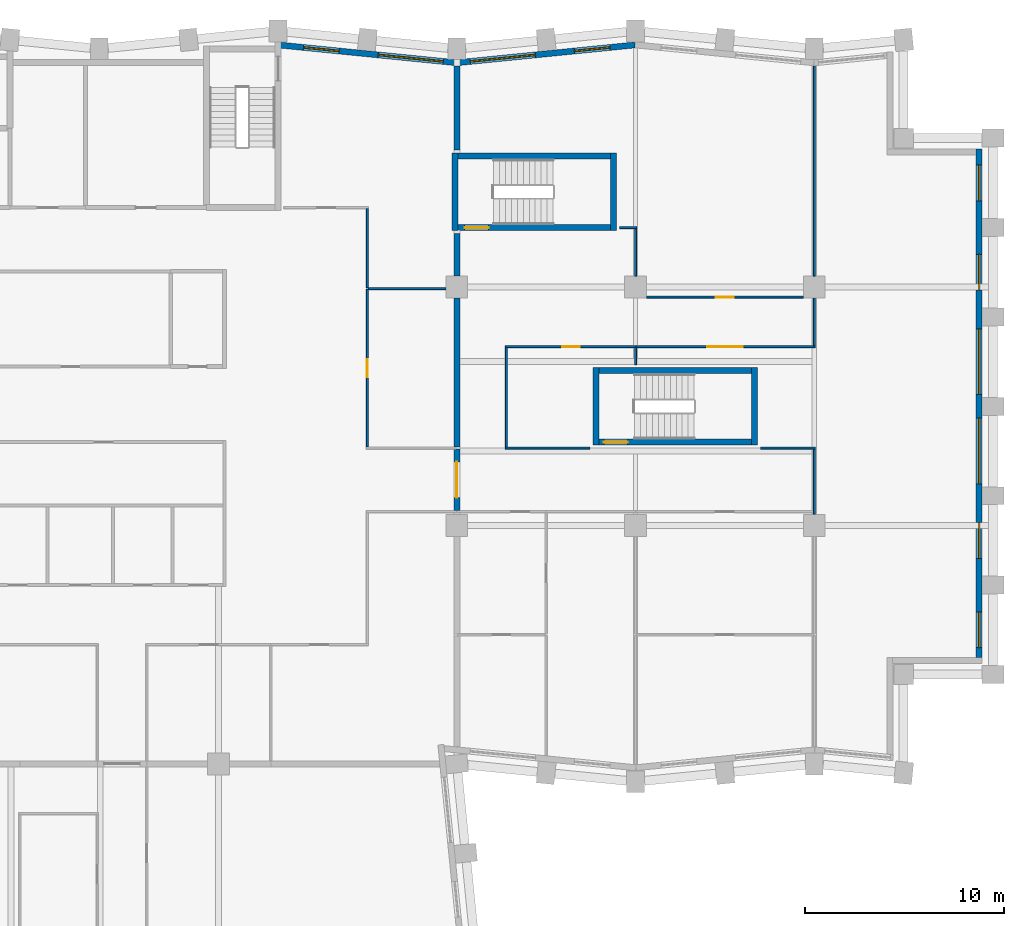
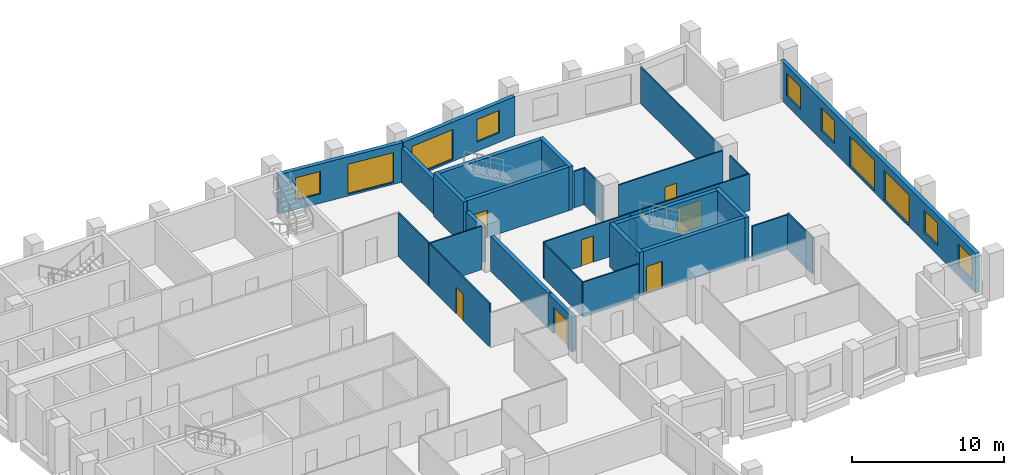
# One storey, part 7 of 10: 30 walls, 10 windows, 7 doors, 17 openings.
"""IFC4 building model written with IfcOpenShell, lengths in metres."""

from ifc_helpers import new_model, si_unit, direction, frame, frame_2d, origin, place, context, subcontext, project, spatial, rectangle, extrude, material, layer, layer_set, type_object, element, fill, save


model = new_model("IFC4")

# Units and contexts
model_context = context("Model", 3, precision=1e-05, world=origin(), true_north=direction((0.0, 1.0)))
body_context = subcontext(model_context, "Body", "Model", "MODEL_VIEW")
ifc_project = project(units=[si_unit("LENGTHUNIT", "METRE"), si_unit("AREAUNIT", "SQUARE_METRE"), si_unit("VOLUMEUNIT", "CUBIC_METRE"), si_unit("PLANEANGLEUNIT", "RADIAN"), si_unit("MASSUNIT", "GRAM", prefix="KILO")], contexts=[model_context])

# Site, building, storey
site_placement = place(None, origin())
site = spatial("IfcSite", under=ifc_project, at=site_placement, CompositionType="ELEMENT")
building_placement = place(site_placement, origin())
building = spatial("IfcBuilding", under=site, at=building_placement, Name="Brondeck Convention Tower", CompositionType="ELEMENT")
storey_placement = place(building_placement, frame((0.0, 0.0, 170.0)))
storey = spatial("IfcBuildingStorey", under=building, at=storey_placement, Name="L41", CompositionType="ELEMENT", Elevation=170.0)

# Wall, opening, door
ifc_material_1 = material(Name="Concrete compartment wall C30/37", Category="concrete")
ifc_layer_1 = layer(ifc_material_1, 0.300048828125)
ifc_layer_set_1 = layer_set([ifc_layer_1], Name="Compartment wall 300")
wall_type_1 = type_object("IfcWallType", Name="Compartment wall 300", PredefinedType="PARTITIONING", material=ifc_layer_set_1)
wall_1_placement = place(storey_placement, frame((36.0, 42.85009765625, 0.0), z_axis=(0.0, 0.0, 1.0), x_axis=(0.0, -1.0, 0.0)))
wall_1 = element("IfcWall", 1, at=wall_1_placement, inside=storey, type_object=wall_type_1, Name="FLR-L41-W052", PredefinedType="PARTITIONING", context=body_context, shape_type="SweptSolid", body=[
    extrude(rectangle(XDim=3.10009765625, YDim=0.300048828125, at=frame_2d((1.550048828125, 0.0))), origin(), (0.0, 0.0, 1.0), 2.780029296875),
])
opening_1_placement = place(wall_1_placement, frame((0.64990234375, 0.0, 0.0)))
opening_1 = element("IfcOpeningElement", 2, at=opening_1_placement, cuts=wall_1, Name="Opening OF-H-021", PredefinedType="OPENING", context=body_context, shape_type="SweptSolid", body=[
    extrude(rectangle(XDim=1.800048828125, YDim=2.10009765625, at=frame_2d((0.89990234375, 1.050048828125))), frame((0.0, 0.159912109375, 0.0), z_axis=(0.0, -1.0, 0.0), x_axis=(1.0, 0.0, 0.0)), (0.0, 0.0, 1.0), 0.320068359375),
])
ifc_material_2 = material(Name="Steel fire door pair", Category="steel")
door_type_1 = type_object("IfcDoorType", Name="Fire door pair 1800", OperationType="DOUBLE_DOOR_SINGLE_SWING", PredefinedType="DOOR", material=ifc_material_2)
door_1_placement = place(opening_1_placement, origin())
door_1 = element("IfcDoor", 3, at=door_1_placement, inside=storey, type_object=door_type_1, Name="Door OF-H-021", OperationType="DOUBLE_DOOR_SINGLE_SWING", OverallHeight=2.10009765625, OverallWidth=1.800048828125, PredefinedType="DOOR", context=body_context, shape_type="SweptSolid", body=[
    extrude(rectangle(XDim=1.800048828125, YDim=2.10009765625, at=frame_2d((0.89990234375, 1.050048828125))), frame((0.0, 0.02490234375, 0.0), z_axis=(0.0, -1.0, 0.0), x_axis=(1.0, 0.0, 0.0)), (0.0, 0.0, 1.0), 0.050048828125),
])
fill(opening_1, door_1)

# Walls
wall_2_placement = place(storey_placement, frame((36.0, 42.949951171875, 0.0), z_axis=(0.0, 0.0, 1.0), x_axis=(0.0, 1.0, 0.0)))
element("IfcWall", 4, at=wall_2_placement, inside=storey, type_object=wall_type_1, Name="FLR-L41-W057", PredefinedType="PARTITIONING", context=body_context, shape_type="SweptSolid", body=[
    extrude(rectangle(XDim=7.4951171875, YDim=0.300048828125, at=frame_2d((3.74755859375, 0.0))), origin(), (0.0, 0.0, 1.0), 2.780029296875),
])
wall_3_placement = place(storey_placement, frame((36.0, 51.554931640625, 0.0), z_axis=(0.0, 0.0, 1.0), x_axis=(0.0, 1.0, 0.0)))
element("IfcWall", 5, at=wall_3_placement, inside=storey, type_object=wall_type_1, Name="FLR-L41-W066", PredefinedType="PARTITIONING", context=body_context, shape_type="SweptSolid", body=[
    extrude(rectangle(XDim=2.14501953125, YDim=0.300048828125, at=frame_2d((1.072509765625, 0.0))), origin(), (0.0, 0.0, 1.0), 2.780029296875),
])
wall_4_placement = place(storey_placement, frame((36.0, 57.89990234375, 0.0), z_axis=(0.0, 0.0, 1.0), x_axis=(0.0, 1.0, 0.0)))
element("IfcWall", 6, at=wall_4_placement, inside=storey, type_object=wall_type_1, Name="FLR-L41-W072", PredefinedType="PARTITIONING", context=body_context, shape_type="SweptSolid", body=[
    extrude(rectangle(XDim=4.22607421875, YDim=0.300048828125, at=frame_2d((2.113037109375, 0.0))), origin(), (0.0, 0.0, 1.0), 2.780029296875),
])

# Wall, openings, windows
ifc_material_3 = material(Name="Precast concrete C50/60 bronze finish", Category="concrete")
ifc_layer_2 = layer(ifc_material_3, 0.070068359375, Name="Bronze precast facing")
ifc_material_4 = material(Name="Mineral wool")
ifc_layer_3 = layer(ifc_material_4, 0.159912109375, Name="Insulation")
ifc_material_5 = material(Name="Concrete C35/45", Category="concrete")
ifc_layer_4 = layer(ifc_material_5, 0.070068359375, Name="Backing")
ifc_layer_set_2 = layer_set([ifc_layer_2, ifc_layer_3, ifc_layer_4], Name="External infill wall, precast concrete C50/60 bronze facing")
wall_type_2 = type_object("IfcWallType", Name="External infill wall, precast concrete C50/60 bronze facing", PredefinedType="SOLIDWALL", material=ifc_layer_set_2)
wall_5_placement = place(storey_placement, frame((62.300048828125, 57.949951171875, 0.0), z_axis=(0.0, 0.0, 1.0), x_axis=(0.0, -1.0, 0.0)))
wall_5 = element("IfcWall", 7, at=wall_5_placement, inside=storey, type_object=wall_type_2, Name="ENV-EW-L41-P1-A-E63-01", PredefinedType="SOLIDWALL", context=body_context, shape_type="SweptSolid", body=[
    extrude(rectangle(XDim=25.60205078125, YDim=0.300048828125, at=frame_2d((12.801025390625, 0.0))), origin(), (0.0, 0.0, 1.0), 3.14990234375),
])
opening_2_placement = place(wall_5_placement, frame((0.800048828125, 0.0, 0.75)))
opening_2 = element("IfcOpeningElement", 8, at=opening_2_placement, cuts=wall_5, Name="Opening W10", PredefinedType="OPENING", context=body_context, shape_type="SweptSolid", body=[
    extrude(rectangle(XDim=1.800048828125, YDim=1.800048828125, at=frame_2d((0.89990234375, 0.89990234375))), frame((0.0, 0.159912109375, 0.0), z_axis=(0.0, -1.0, 0.0), x_axis=(1.0, 0.0, 0.0)), (0.0, 0.0, 1.0), 0.320068359375),
])
opening_3_placement = place(wall_5_placement, frame((5.300048828125, 0.0, 0.75)))
opening_3 = element("IfcOpeningElement", 9, at=opening_3_placement, cuts=wall_5, Name="Opening W10", PredefinedType="OPENING", context=body_context, shape_type="SweptSolid", body=[
    extrude(rectangle(XDim=1.800048828125, YDim=1.800048828125, at=frame_2d((0.89990234375, 0.89990234375))), frame((0.0, 0.159912109375, 0.0), z_axis=(0.0, -1.0, 0.0), x_axis=(1.0, 0.0, 0.0)), (0.0, 0.0, 1.0), 0.320068359375),
])
opening_4_placement = place(wall_5_placement, frame((9.050048828125, 0.0, 0.14990234375)))
opening_4 = element("IfcOpeningElement", 10, at=opening_4_placement, cuts=wall_5, Name="Opening W9", PredefinedType="OPENING", context=body_context, shape_type="SweptSolid", body=[
    extrude(rectangle(XDim=3.300048828125, YDim=2.39990234375, at=frame_2d((1.64990234375, 1.199951171875))), frame((0.0, 0.159912109375, 0.0), z_axis=(0.0, -1.0, 0.0), x_axis=(1.0, 0.0, 0.0)), (0.0, 0.0, 1.0), 0.320068359375),
])
opening_5_placement = place(wall_5_placement, frame((13.550048828125, 0.0, 0.14990234375)))
opening_5 = element("IfcOpeningElement", 11, at=opening_5_placement, cuts=wall_5, Name="Opening W9", PredefinedType="OPENING", context=body_context, shape_type="SweptSolid", body=[
    extrude(rectangle(XDim=3.300048828125, YDim=2.39990234375, at=frame_2d((1.64990234375, 1.199951171875))), frame((0.0, 0.159912109375, 0.0), z_axis=(0.0, -1.0, 0.0), x_axis=(1.0, 0.0, 0.0)), (0.0, 0.0, 1.0), 0.320068359375),
])
opening_6_placement = place(wall_5_placement, frame((18.800048828125, 0.0, 0.75)))
opening_6 = element("IfcOpeningElement", 12, at=opening_6_placement, cuts=wall_5, Name="Opening W10", PredefinedType="OPENING", context=body_context, shape_type="SweptSolid", body=[
    extrude(rectangle(XDim=1.800048828125, YDim=1.800048828125, at=frame_2d((0.89990234375, 0.89990234375))), frame((0.0, 0.159912109375, 0.0), z_axis=(0.0, -1.0, 0.0), x_axis=(1.0, 0.0, 0.0)), (0.0, 0.0, 1.0), 0.320068359375),
])
opening_7_placement = place(wall_5_placement, frame((23.300048828125, 0.0, 0.75)))
opening_7 = element("IfcOpeningElement", 13, at=opening_7_placement, cuts=wall_5, Name="Opening W10", PredefinedType="OPENING", context=body_context, shape_type="SweptSolid", body=[
    extrude(rectangle(XDim=1.800048828125, YDim=1.800048828125, at=frame_2d((0.89990234375, 0.89990234375))), frame((0.0, 0.159912109375, 0.0), z_axis=(0.0, -1.0, 0.0), x_axis=(1.0, 0.0, 0.0)), (0.0, 0.0, 1.0), 0.320068359375),
])
ifc_material_6 = material(Name="Bronze tinted double glazing", Category="glass")
window_type_1 = type_object("IfcWindowType", Name="Glazed flute window, bronze tinted", PartitioningType="SINGLE_PANEL", PredefinedType="WINDOW", material=ifc_material_6)
window_1_placement = place(opening_4_placement, origin())
window_1 = element("IfcWindow", 14, at=window_1_placement, inside=storey, type_object=window_type_1, Name="ENV-WN-L41-P1-A-E63-04", OverallHeight=2.39990234375, OverallWidth=3.300048828125, PartitioningType="SINGLE_PANEL", PredefinedType="WINDOW", context=body_context, shape_type="SweptSolid", body=[
    extrude(rectangle(XDim=3.300048828125, YDim=2.39990234375, at=frame_2d((1.64990234375, 1.199951171875))), frame((0.0, 0.030029296875, 0.0), z_axis=(0.0, -1.0, 0.0), x_axis=(1.0, 0.0, 0.0)), (0.0, 0.0, 1.0), 0.06005859375),
])
fill(opening_4, window_1)
window_2_placement = place(opening_5_placement, origin())
window_2 = element("IfcWindow", 15, at=window_2_placement, inside=storey, type_object=window_type_1, Name="ENV-WN-L41-P1-A-E63-03", OverallHeight=2.39990234375, OverallWidth=3.300048828125, PartitioningType="SINGLE_PANEL", PredefinedType="WINDOW", context=body_context, shape_type="SweptSolid", body=[
    extrude(rectangle(XDim=3.300048828125, YDim=2.39990234375, at=frame_2d((1.64990234375, 1.199951171875))), frame((0.0, 0.030029296875, 0.0), z_axis=(0.0, -1.0, 0.0), x_axis=(1.0, 0.0, 0.0)), (0.0, 0.0, 1.0), 0.06005859375),
])
fill(opening_5, window_2)
window_type_2 = type_object("IfcWindowType", Name="Punched window, bronze tinted", PartitioningType="SINGLE_PANEL", PredefinedType="WINDOW", material=ifc_material_6)
window_3_placement = place(opening_2_placement, origin())
window_3 = element("IfcWindow", 16, at=window_3_placement, inside=storey, type_object=window_type_2, Name="ENV-WN-L41-P1-A-E63-06", OverallHeight=1.800048828125, OverallWidth=1.800048828125, PartitioningType="SINGLE_PANEL", PredefinedType="WINDOW", context=body_context, shape_type="SweptSolid", body=[
    extrude(rectangle(XDim=1.800048828125, YDim=1.800048828125, at=frame_2d((0.89990234375, 0.89990234375))), frame((0.0, 0.030029296875, 0.0), z_axis=(0.0, -1.0, 0.0), x_axis=(1.0, 0.0, 0.0)), (0.0, 0.0, 1.0), 0.06005859375),
])
fill(opening_2, window_3)
window_4_placement = place(opening_3_placement, origin())
window_4 = element("IfcWindow", 17, at=window_4_placement, inside=storey, type_object=window_type_2, Name="ENV-WN-L41-P1-A-E63-05", OverallHeight=1.800048828125, OverallWidth=1.800048828125, PartitioningType="SINGLE_PANEL", PredefinedType="WINDOW", context=body_context, shape_type="SweptSolid", body=[
    extrude(rectangle(XDim=1.800048828125, YDim=1.800048828125, at=frame_2d((0.89990234375, 0.89990234375))), frame((0.0, 0.030029296875, 0.0), z_axis=(0.0, -1.0, 0.0), x_axis=(1.0, 0.0, 0.0)), (0.0, 0.0, 1.0), 0.06005859375),
])
fill(opening_3, window_4)
window_5_placement = place(opening_6_placement, origin())
window_5 = element("IfcWindow", 18, at=window_5_placement, inside=storey, type_object=window_type_2, Name="ENV-WN-L41-P1-A-E63-02", OverallHeight=1.800048828125, OverallWidth=1.800048828125, PartitioningType="SINGLE_PANEL", PredefinedType="WINDOW", context=body_context, shape_type="SweptSolid", body=[
    extrude(rectangle(XDim=1.800048828125, YDim=1.800048828125, at=frame_2d((0.89990234375, 0.89990234375))), frame((0.0, 0.030029296875, 0.0), z_axis=(0.0, -1.0, 0.0), x_axis=(1.0, 0.0, 0.0)), (0.0, 0.0, 1.0), 0.06005859375),
])
fill(opening_6, window_5)
window_6_placement = place(opening_7_placement, origin())
window_6 = element("IfcWindow", 19, at=window_6_placement, inside=storey, type_object=window_type_2, Name="ENV-WN-L41-P1-A-E63-01", OverallHeight=1.800048828125, OverallWidth=1.800048828125, PartitioningType="SINGLE_PANEL", PredefinedType="WINDOW", context=body_context, shape_type="SweptSolid", body=[
    extrude(rectangle(XDim=1.800048828125, YDim=1.800048828125, at=frame_2d((0.89990234375, 0.89990234375))), frame((0.0, 0.030029296875, 0.0), z_axis=(0.0, -1.0, 0.0), x_axis=(1.0, 0.0, 0.0)), (0.0, 0.0, 1.0), 0.06005859375),
])
fill(opening_7, window_6)

wall_6_placement = place(storey_placement, frame((35.985107421875, 62.294921875, 0.0), z_axis=(0.0, 0.0, 1.0), x_axis=(0.995035316196, 0.099522457379, 0.0)))
wall_6 = element("IfcWall", 20, at=wall_6_placement, inside=storey, type_object=wall_type_2, Name="ENV-EW-L41-P1-A-N-09", PredefinedType="SOLIDWALL", context=body_context, shape_type="SweptSolid", body=[
    extrude(rectangle(XDim=9.030029296875, YDim=0.300048828125, at=frame_2d((4.51513671875, 0.0))), origin(), (0.0, 0.0, 1.0), 3.14990234375),
])
opening_8_placement = place(wall_6_placement, frame((0.6962890625, 0.0, 0.14990234375)))
opening_8 = element("IfcOpeningElement", 21, at=opening_8_placement, cuts=wall_6, Name="Opening W9", PredefinedType="OPENING", context=body_context, shape_type="SweptSolid", body=[
    extrude(rectangle(XDim=3.300048828125, YDim=2.39990234375, at=frame_2d((1.64990234375, 1.199951171875))), frame((0.0, 0.159912109375, 0.0), z_axis=(0.0, -1.0, 0.0), x_axis=(1.0, 0.0, 0.0)), (0.0, 0.0, 1.0), 0.320068359375),
])
opening_9_placement = place(wall_6_placement, frame((5.968505859375, 0.0, 0.75)))
opening_9 = element("IfcOpeningElement", 22, at=opening_9_placement, cuts=wall_6, Name="Opening W10", PredefinedType="OPENING", context=body_context, shape_type="SweptSolid", body=[
    extrude(rectangle(XDim=1.800048828125, YDim=1.800048828125, at=frame_2d((0.89990234375, 0.89990234375))), frame((0.0, 0.159912109375, 0.0), z_axis=(0.0, -1.0, 0.0), x_axis=(1.0, 0.0, 0.0)), (0.0, 0.0, 1.0), 0.320068359375),
])
window_7_placement = place(opening_8_placement, origin())
window_7 = element("IfcWindow", 23, at=window_7_placement, inside=storey, type_object=window_type_1, Name="ENV-WN-L41-P1-A-N-08", OverallHeight=2.39990234375, OverallWidth=3.300048828125, PartitioningType="SINGLE_PANEL", PredefinedType="WINDOW", context=body_context, shape_type="SweptSolid", body=[
    extrude(rectangle(XDim=3.300048828125, YDim=2.39990234375, at=frame_2d((1.64990234375, 1.199951171875))), frame((0.0, 0.030029296875, 0.0), z_axis=(0.0, -1.0, 0.0), x_axis=(1.0, 0.0, 0.0)), (0.0, 0.0, 1.0), 0.06005859375),
])
fill(opening_8, window_7)
window_8_placement = place(opening_9_placement, origin())
window_8 = element("IfcWindow", 24, at=window_8_placement, inside=storey, type_object=window_type_2, Name="ENV-WN-L41-P1-A-N-09", OverallHeight=1.800048828125, OverallWidth=1.800048828125, PartitioningType="SINGLE_PANEL", PredefinedType="WINDOW", context=body_context, shape_type="SweptSolid", body=[
    extrude(rectangle(XDim=1.800048828125, YDim=1.800048828125, at=frame_2d((0.89990234375, 0.89990234375))), frame((0.0, 0.030029296875, 0.0), z_axis=(0.0, -1.0, 0.0), x_axis=(1.0, 0.0, 0.0)), (0.0, 0.0, 1.0), 0.06005859375),
])
fill(opening_9, window_8)

wall_7_placement = place(storey_placement, frame((27.07958984375, 63.188720703125, 0.0), z_axis=(0.0, 0.0, 1.0), x_axis=(0.995036108007, -0.099514540459, 0.0)))
wall_7 = element("IfcWall", 25, at=wall_7_placement, inside=storey, type_object=wall_type_2, Name="ENV-EW-L41-P1-A-N-07", PredefinedType="SOLIDWALL", context=body_context, shape_type="SweptSolid", body=[
    extrude(rectangle(XDim=8.93505859375, YDim=0.300048828125, at=frame_2d((4.467529296875, 0.0))), origin(), (0.0, 0.0, 1.0), 3.14990234375),
])
opening_10_placement = place(wall_7_placement, frame((1.211181640625, 0.0, 0.75)))
opening_10 = element("IfcOpeningElement", 26, at=opening_10_placement, cuts=wall_7, Name="Opening W10", PredefinedType="OPENING", context=body_context, shape_type="SweptSolid", body=[
    extrude(rectangle(XDim=1.800048828125, YDim=1.800048828125, at=frame_2d((0.89990234375, 0.89990234375))), frame((0.0, 0.159912109375, 0.0), z_axis=(0.0, -1.0, 0.0), x_axis=(1.0, 0.0, 0.0)), (0.0, 0.0, 1.0), 0.320068359375),
])
opening_11_placement = place(wall_7_placement, frame((4.983642578125, 0.0, 0.14990234375)))
opening_11 = element("IfcOpeningElement", 27, at=opening_11_placement, cuts=wall_7, Name="Opening W9", PredefinedType="OPENING", context=body_context, shape_type="SweptSolid", body=[
    extrude(rectangle(XDim=3.300048828125, YDim=2.39990234375, at=frame_2d((1.64990234375, 1.199951171875))), frame((0.0, 0.159912109375, 0.0), z_axis=(0.0, -1.0, 0.0), x_axis=(1.0, 0.0, 0.0)), (0.0, 0.0, 1.0), 0.320068359375),
])
window_9_placement = place(opening_11_placement, origin())
window_9 = element("IfcWindow", 28, at=window_9_placement, inside=storey, type_object=window_type_1, Name="ENV-WN-L41-P1-A-N-07", OverallHeight=2.39990234375, OverallWidth=3.300048828125, PartitioningType="SINGLE_PANEL", PredefinedType="WINDOW", context=body_context, shape_type="SweptSolid", body=[
    extrude(rectangle(XDim=3.300048828125, YDim=2.39990234375, at=frame_2d((1.64990234375, 1.199951171875))), frame((0.0, 0.030029296875, 0.0), z_axis=(0.0, -1.0, 0.0), x_axis=(1.0, 0.0, 0.0)), (0.0, 0.0, 1.0), 0.06005859375),
])
fill(opening_11, window_9)
window_10_placement = place(opening_10_placement, origin())
window_10 = element("IfcWindow", 29, at=window_10_placement, inside=storey, type_object=window_type_2, Name="ENV-WN-L41-P1-A-N-06", OverallHeight=1.800048828125, OverallWidth=1.800048828125, PartitioningType="SINGLE_PANEL", PredefinedType="WINDOW", context=body_context, shape_type="SweptSolid", body=[
    extrude(rectangle(XDim=1.800048828125, YDim=1.800048828125, at=frame_2d((0.89990234375, 0.89990234375))), frame((0.0, 0.030029296875, 0.0), z_axis=(0.0, -1.0, 0.0), x_axis=(1.0, 0.0, 0.0)), (0.0, 0.0, 1.0), 0.06005859375),
])
fill(opening_10, window_10)

# Walls
ifc_material_7 = material(Name="Gypsum board partition on steel studs", Category="steel")
ifc_layer_5 = layer(ifc_material_7, 0.10009765625)
ifc_layer_set_3 = layer_set([ifc_layer_5], Name="Room partition 100")
wall_type_3 = type_object("IfcWallType", Name="Room partition 100", PredefinedType="PARTITIONING", material=ifc_layer_set_3)
wall_8_placement = place(storey_placement, frame((54.0, 42.85009765625, 0.0), z_axis=(0.0, 0.0, 1.0), x_axis=(0.0, -1.0, 0.0)))
element("IfcWall", 30, at=wall_8_placement, inside=storey, type_object=wall_type_3, Name="FLR-L41-W053", PredefinedType="PARTITIONING", context=body_context, shape_type="SweptSolid", body=[
    extrude(rectangle(XDim=3.280029296875, YDim=0.10009765625, at=frame_2d((1.64013671875, 0.0))), origin(), (0.0, 0.0, 1.0), 2.929931640625),
])
wall_9_placement = place(storey_placement, frame((38.449951171875, 42.89990234375, 0.0), z_axis=(0.0, 0.0, 1.0), x_axis=(1.0, 0.0, 0.0)))
element("IfcWall", 31, at=wall_9_placement, inside=storey, type_object=wall_type_3, Name="FLR-L41-W055", PredefinedType="PARTITIONING", context=body_context, shape_type="SweptSolid", body=[
    extrude(rectangle(XDim=4.25, YDim=0.10009765625, at=frame_2d((2.125, 0.0))), origin(), (0.0, 0.0, 1.0), 2.780029296875),
])
wall_10_placement = place(storey_placement, frame((51.300048828125, 42.89990234375, 0.0), z_axis=(0.0, 0.0, 1.0), x_axis=(1.0, 0.0, 0.0)))
element("IfcWall", 32, at=wall_10_placement, inside=storey, type_object=wall_type_3, Name="FLR-L41-W056", PredefinedType="PARTITIONING", context=body_context, shape_type="SweptSolid", body=[
    extrude(rectangle(XDim=2.75, YDim=0.10009765625, at=frame_2d((1.375, 0.0))), origin(), (0.0, 0.0, 1.0), 2.780029296875),
])
wall_11_placement = place(storey_placement, frame((38.5, 47.949951171875, 0.0), z_axis=(0.0, 0.0, 1.0), x_axis=(0.0, -1.0, 0.0)))
element("IfcWall", 33, at=wall_11_placement, inside=storey, type_object=wall_type_3, Name="FLR-L41-W058", PredefinedType="PARTITIONING", context=body_context, shape_type="SweptSolid", body=[
    extrude(rectangle(XDim=5.0, YDim=0.10009765625, at=frame_2d((2.5, 0.0))), origin(), (0.0, 0.0, 1.0), 2.780029296875),
])
wall_12_placement = place(storey_placement, frame((45.0, 47.949951171875, 0.0), z_axis=(0.0, 0.0, 1.0), x_axis=(0.0, -1.0, 0.0)))
element("IfcWall", 34, at=wall_12_placement, inside=storey, type_object=wall_type_3, Name="FLR-L41-W059", PredefinedType="PARTITIONING", context=body_context, shape_type="SweptSolid", body=[
    extrude(rectangle(XDim=0.849853515625, YDim=0.10009765625, at=frame_2d((0.4248046875, 0.0))), origin(), (0.0, 0.0, 1.0), 2.780029296875),
])

# Wall, opening, door
wall_13_placement = place(storey_placement, frame((45.0, 48.0, 0.0), z_axis=(0.0, 0.0, 1.0), x_axis=(-1.0, 0.0, 0.0)))
wall_13 = element("IfcWall", 35, at=wall_13_placement, inside=storey, type_object=wall_type_3, Name="FLR-L41-W060", PredefinedType="PARTITIONING", context=body_context, shape_type="SweptSolid", body=[
    extrude(rectangle(XDim=6.550048828125, YDim=0.10009765625, at=frame_2d((3.27490234375, 0.0))), origin(), (0.0, 0.0, 1.0), 2.929931640625),
])
opening_12_placement = place(wall_13_placement, frame((2.800048828125, 0.0, 0.0)))
opening_12 = element("IfcOpeningElement", 36, at=opening_12_placement, cuts=wall_13, Name="Opening OF-H-002", PredefinedType="OPENING", context=body_context, shape_type="SweptSolid", body=[
    extrude(rectangle(XDim=0.89990234375, YDim=2.10009765625, at=frame_2d((0.449951171875, 1.050048828125))), frame((0.0, 0.06005859375, 0.0), z_axis=(0.0, -1.0, 0.0), x_axis=(1.0, 0.0, 0.0)), (0.0, 0.0, 1.0), 0.1201171875),
])
ifc_material_8 = material(Name="Solid timber door leaf", Category="wood")
door_type_2 = type_object("IfcDoorType", Name="Single door 900", OperationType="NOTDEFINED", PredefinedType="DOOR", material=ifc_material_8)
door_2_placement = place(opening_12_placement, origin())
door_2 = element("IfcDoor", 37, at=door_2_placement, inside=storey, type_object=door_type_2, Name="Door OF-H-002", OperationType="SINGLE_SWING_RIGHT", OverallHeight=2.10009765625, OverallWidth=0.89990234375, PredefinedType="DOOR", context=body_context, shape_type="SweptSolid", body=[
    extrude(rectangle(XDim=0.89990234375, YDim=2.10009765625, at=frame_2d((0.449951171875, 1.050048828125))), frame((0.0, 0.02490234375, 0.0), z_axis=(0.0, -1.0, 0.0), x_axis=(1.0, 0.0, 0.0)), (0.0, 0.0, 1.0), 0.050048828125),
])
fill(opening_12, door_2)

wall_14_placement = place(storey_placement, frame((54.050048828125, 48.0, 0.0), z_axis=(0.0, 0.0, 1.0), x_axis=(-1.0, 0.0, 0.0)))
wall_14 = element("IfcWall", 38, at=wall_14_placement, inside=storey, type_object=wall_type_3, Name="FLR-L41-W061", PredefinedType="PARTITIONING", context=body_context, shape_type="SweptSolid", body=[
    extrude(rectangle(XDim=9.050048828125, YDim=0.10009765625, at=frame_2d((4.52490234375, 0.0))), origin(), (0.0, 0.0, 1.0), 2.929931640625),
])
opening_13_placement = place(wall_14_placement, frame((3.64990234375, 0.0, 0.0)))
opening_13 = element("IfcOpeningElement", 39, at=opening_13_placement, cuts=wall_14, Name="Opening OF-H-005", PredefinedType="OPENING", context=body_context, shape_type="SweptSolid", body=[
    extrude(rectangle(XDim=1.800048828125, YDim=2.10009765625, at=frame_2d((0.89990234375, 1.050048828125))), frame((0.0, 0.06005859375, 0.0), z_axis=(0.0, -1.0, 0.0), x_axis=(1.0, 0.0, 0.0)), (0.0, 0.0, 1.0), 0.1201171875),
])
ifc_material_9 = material(Name="Glazed timber double door", Category="wood")
door_type_3 = type_object("IfcDoorType", Name="Double door 1800", OperationType="DOUBLE_DOOR_SINGLE_SWING", PredefinedType="DOOR", material=ifc_material_9)
door_3_placement = place(opening_13_placement, origin())
door_3 = element("IfcDoor", 40, at=door_3_placement, inside=storey, type_object=door_type_3, Name="Door OF-H-005", OperationType="DOUBLE_DOOR_SINGLE_SWING", OverallHeight=2.10009765625, OverallWidth=1.800048828125, PredefinedType="DOOR", context=body_context, shape_type="SweptSolid", body=[
    extrude(rectangle(XDim=1.800048828125, YDim=2.10009765625, at=frame_2d((0.89990234375, 1.050048828125))), frame((0.0, 0.02490234375, 0.0), z_axis=(0.0, -1.0, 0.0), x_axis=(1.0, 0.0, 0.0)), (0.0, 0.0, 1.0), 0.050048828125),
])
fill(opening_13, door_3)

# Wall
wall_15_placement = place(storey_placement, frame((54.0, 50.445068359375, 0.0), z_axis=(0.0, 0.0, 1.0), x_axis=(0.0, -1.0, 0.0)))
element("IfcWall", 41, at=wall_15_placement, inside=storey, type_object=wall_type_3, Name="FLR-L41-W062", PredefinedType="PARTITIONING", context=body_context, shape_type="SweptSolid", body=[
    extrude(rectangle(XDim=2.39501953125, YDim=0.10009765625, at=frame_2d((1.197509765625, 0.0))), origin(), (0.0, 0.0, 1.0), 2.929931640625),
])

# Wall, opening, door
wall_16_placement = place(storey_placement, frame((45.554931640625, 50.5, 0.0), z_axis=(0.0, 0.0, 1.0), x_axis=(1.0, 0.0, 0.0)))
wall_16 = element("IfcWall", 42, at=wall_16_placement, inside=storey, type_object=wall_type_3, Name="FLR-L41-W063", PredefinedType="PARTITIONING", context=body_context, shape_type="SweptSolid", body=[
    extrude(rectangle(XDim=7.89013671875, YDim=0.10009765625, at=frame_2d((3.945068359375, 0.0))), origin(), (0.0, 0.0, 1.0), 3.47998046875),
])
opening_14_placement = place(wall_16_placement, frame((3.4951171875, 0.0, 0.0)))
opening_14 = element("IfcOpeningElement", 43, at=opening_14_placement, cuts=wall_16, Name="Opening OF-H-011", PredefinedType="OPENING", context=body_context, shape_type="SweptSolid", body=[
    extrude(rectangle(XDim=0.89990234375, YDim=2.10009765625, at=frame_2d((0.449951171875, 1.050048828125))), frame((0.0, 0.06005859375, 0.0), z_axis=(0.0, -1.0, 0.0), x_axis=(1.0, 0.0, 0.0)), (0.0, 0.0, 1.0), 0.1201171875),
])
door_4_placement = place(opening_14_placement, origin())
door_4 = element("IfcDoor", 44, at=door_4_placement, inside=storey, type_object=door_type_2, Name="Door OF-H-011", OperationType="SINGLE_SWING_LEFT", OverallHeight=2.10009765625, OverallWidth=0.89990234375, PredefinedType="DOOR", context=body_context, shape_type="SweptSolid", body=[
    extrude(rectangle(XDim=0.89990234375, YDim=2.10009765625, at=frame_2d((0.449951171875, 1.050048828125))), frame((0.0, 0.02490234375, 0.0), z_axis=(0.0, -1.0, 0.0), x_axis=(1.0, 0.0, 0.0)), (0.0, 0.0, 1.0), 0.050048828125),
])
fill(opening_14, door_4)

wall_17_placement = place(storey_placement, frame((31.5, 50.882080078125, 0.0), z_axis=(0.0, 0.0, 1.0), x_axis=(0.0, -1.0, 0.0)))
wall_17 = element("IfcWall", 45, at=wall_17_placement, inside=storey, type_object=wall_type_3, Name="FLR-L41-W064", PredefinedType="PARTITIONING", context=body_context, shape_type="SweptSolid", body=[
    extrude(rectangle(XDim=7.93212890625, YDim=0.10009765625, at=frame_2d((3.966064453125, 0.0))), origin(), (0.0, 0.0, 1.0), 3.47998046875),
])
opening_15_placement = place(wall_17_placement, frame((3.51611328125, 0.0, 0.0)))
opening_15 = element("IfcOpeningElement", 46, at=opening_15_placement, cuts=wall_17, Name="Opening OF-H-019", PredefinedType="OPENING", context=body_context, shape_type="SweptSolid", body=[
    extrude(rectangle(XDim=0.89990234375, YDim=2.10009765625, at=frame_2d((0.449951171875, 1.050048828125))), frame((0.0, 0.06005859375, 0.0), z_axis=(0.0, -1.0, 0.0), x_axis=(1.0, 0.0, 0.0)), (0.0, 0.0, 1.0), 0.1201171875),
])
door_5_placement = place(opening_15_placement, origin())
door_5 = element("IfcDoor", 47, at=door_5_placement, inside=storey, type_object=door_type_2, Name="Door OF-H-019", OperationType="SINGLE_SWING_LEFT", OverallHeight=2.10009765625, OverallWidth=0.89990234375, PredefinedType="DOOR", context=body_context, shape_type="SweptSolid", body=[
    extrude(rectangle(XDim=0.89990234375, YDim=2.10009765625, at=frame_2d((0.449951171875, 1.050048828125))), frame((0.0, 0.02490234375, 0.0), z_axis=(0.0, -1.0, 0.0), x_axis=(1.0, 0.0, 0.0)), (0.0, 0.0, 1.0), 0.050048828125),
])
fill(opening_15, door_5)

# Walls
wall_18_placement = place(storey_placement, frame((31.550048828125, 50.931884765625, 0.0), z_axis=(0.0, 0.0, 1.0), x_axis=(1.0, 0.0, 0.0)))
element("IfcWall", 48, at=wall_18_placement, inside=storey, type_object=wall_type_3, Name="FLR-L41-W065", PredefinedType="PARTITIONING", context=body_context, shape_type="SweptSolid", body=[
    extrude(rectangle(XDim=3.89501953125, YDim=0.10009765625, at=frame_2d((1.947509765625, 0.0))), origin(), (0.0, 0.0, 1.0), 3.47998046875),
])
wall_19_placement = place(storey_placement, frame((54.0, 51.554931640625, 0.0), z_axis=(0.0, 0.0, 1.0), x_axis=(0.0, 1.0, 0.0)))
element("IfcWall", 49, at=wall_19_placement, inside=storey, type_object=wall_type_3, Name="FLR-L41-W067", PredefinedType="PARTITIONING", context=body_context, shape_type="SweptSolid", body=[
    extrude(rectangle(XDim=10.57080078125, YDim=0.10009765625, at=frame_2d((5.285400390625, 0.0))), origin(), (0.0, 0.0, 1.0), 2.929931640625),
])
wall_20_placement = place(storey_placement, frame((45.0, 53.949951171875, 0.0), z_axis=(0.0, 0.0, 1.0), x_axis=(0.0, -1.0, 0.0)))
element("IfcWall", 50, at=wall_20_placement, inside=storey, type_object=wall_type_3, Name="FLR-L41-W068", PredefinedType="PARTITIONING", context=body_context, shape_type="SweptSolid", body=[
    extrude(rectangle(XDim=2.39501953125, YDim=0.10009765625, at=frame_2d((1.197509765625, 0.0))), origin(), (0.0, 0.0, 1.0), 2.929931640625),
])
wall_21_placement = place(storey_placement, frame((44.199951171875, 54.0, 0.0), z_axis=(0.0, 0.0, 1.0), x_axis=(1.0, 0.0, 0.0)))
element("IfcWall", 51, at=wall_21_placement, inside=storey, type_object=wall_type_3, Name="FLR-L41-W069", PredefinedType="PARTITIONING", context=body_context, shape_type="SweptSolid", body=[
    extrude(rectangle(XDim=0.85009765625, YDim=0.10009765625, at=frame_2d((0.425048828125, 0.0))), origin(), (0.0, 0.0, 1.0), 2.929931640625),
])
wall_22_placement = place(storey_placement, frame((31.5, 54.949951171875, 0.0), z_axis=(0.0, 0.0, 1.0), x_axis=(0.0, -1.0, 0.0)))
element("IfcWall", 52, at=wall_22_placement, inside=storey, type_object=wall_type_3, Name="FLR-L41-W070", PredefinedType="PARTITIONING", context=body_context, shape_type="SweptSolid", body=[
    extrude(rectangle(XDim=3.968017578125, YDim=0.10009765625, at=frame_2d((1.98388671875, 0.0))), origin(), (0.0, 0.0, 1.0), 3.47998046875),
])

# Wall, opening, door
ifc_material_10 = material(Name="Concrete C70/85", Category="concrete")
ifc_layer_6 = layer(ifc_material_10, 0.300048828125)
ifc_layer_set_4 = layer_set([ifc_layer_6], Name="Stair enclosure wall 300 Concrete C70/85")
wall_type_4 = type_object("IfcWallType", Name="Stair enclosure wall 300 Concrete C70/85", PredefinedType="SHEAR", material=ifc_layer_set_4)
wall_23_placement = place(storey_placement, frame((43.14990234375, 43.199951171875, 0.0), z_axis=(0.0, 0.0, 1.0), x_axis=(1.0, 0.0, 0.0)))
wall_23 = element("IfcWall", 53, at=wall_23_placement, inside=storey, type_object=wall_type_4, Name="L41 core wall", PredefinedType="SHEAR", context=body_context, shape_type="SweptSolid", body=[
    extrude(rectangle(XDim=7.7001953125, YDim=0.300048828125, at=frame_2d((3.85009765625, 0.0))), origin(), (0.0, 0.0, 1.0), 3.5),
])
opening_16_placement = place(wall_23_placement, frame((0.25, 0.0, 0.0)))
opening_16 = element("IfcOpeningElement", 54, at=opening_16_placement, cuts=wall_23, Name="Opening C23-18", PredefinedType="OPENING", context=body_context, shape_type="SweptSolid", body=[
    extrude(rectangle(XDim=1.199951171875, YDim=2.199951171875, at=frame_2d((0.60009765625, 1.10009765625))), frame((0.0, 0.159912109375, 0.0), z_axis=(0.0, -1.0, 0.0), x_axis=(1.0, 0.0, 0.0)), (0.0, 0.0, 1.0), 0.320068359375),
])
ifc_material_11 = material(Name="Steel fire door", Category="steel")
door_type_4 = type_object("IfcDoorType", Name="Stair door 1200x2200 EI 90", OperationType="NOTDEFINED", PredefinedType="DOOR", material=ifc_material_11)
door_6_placement = place(opening_16_placement, origin())
door_6 = element("IfcDoor", 55, at=door_6_placement, inside=storey, type_object=door_type_4, Name="L41 Stair door ST-AF", OperationType="SINGLE_SWING_RIGHT", OverallHeight=2.199951171875, OverallWidth=1.199951171875, PredefinedType="DOOR", context=body_context, shape_type="SweptSolid", body=[
    extrude(rectangle(XDim=1.199951171875, YDim=2.199951171875, at=frame_2d((0.60009765625, 1.10009765625))), frame((0.0, 0.02490234375, 0.0), z_axis=(0.0, -1.0, 0.0), x_axis=(1.0, 0.0, 0.0)), (0.0, 0.0, 1.0), 0.050048828125),
])
fill(opening_16, door_6)

# Wall
wall_24_placement = place(storey_placement, frame((43.14990234375, 46.800048828125, 0.0), z_axis=(0.0, 0.0, 1.0), x_axis=(1.0, 0.0, 0.0)))
element("IfcWall", 56, at=wall_24_placement, inside=storey, type_object=wall_type_4, Name="L41 core wall", PredefinedType="SHEAR", context=body_context, shape_type="SweptSolid", body=[
    extrude(rectangle(XDim=7.7001953125, YDim=0.300048828125, at=frame_2d((3.85009765625, 0.0))), origin(), (0.0, 0.0, 1.0), 3.5),
])

# Wall, opening, door
wall_25_placement = place(storey_placement, frame((36.050048828125, 54.0, 0.0), z_axis=(0.0, 0.0, 1.0), x_axis=(1.0, 0.0, 0.0)))
wall_25 = element("IfcWall", 57, at=wall_25_placement, inside=storey, type_object=wall_type_4, Name="L41 core wall", PredefinedType="SHEAR", context=body_context, shape_type="SweptSolid", body=[
    extrude(rectangle(XDim=7.699951171875, YDim=0.300048828125, at=frame_2d((3.85009765625, 0.0))), origin(), (0.0, 0.0, 1.0), 3.5),
])
opening_17_placement = place(wall_25_placement, frame((0.35009765625, 0.0, 0.0)))
opening_17 = element("IfcOpeningElement", 58, at=opening_17_placement, cuts=wall_25, Name="Opening C23-17", PredefinedType="OPENING", context=body_context, shape_type="SweptSolid", body=[
    extrude(rectangle(XDim=1.199951171875, YDim=2.199951171875, at=frame_2d((0.60009765625, 1.10009765625))), frame((0.0, 0.159912109375, 0.0), z_axis=(0.0, -1.0, 0.0), x_axis=(1.0, 0.0, 0.0)), (0.0, 0.0, 1.0), 0.320068359375),
])
door_7_placement = place(opening_17_placement, origin())
door_7 = element("IfcDoor", 59, at=door_7_placement, inside=storey, type_object=door_type_4, Name="L41 Stair door ST-AE", OperationType="SINGLE_SWING_LEFT", OverallHeight=2.199951171875, OverallWidth=1.199951171875, PredefinedType="DOOR", context=body_context, shape_type="SweptSolid", body=[
    extrude(rectangle(XDim=1.199951171875, YDim=2.199951171875, at=frame_2d((0.60009765625, 1.10009765625))), frame((0.0, 0.02490234375, 0.0), z_axis=(0.0, -1.0, 0.0), x_axis=(1.0, 0.0, 0.0)), (0.0, 0.0, 1.0), 0.050048828125),
])
fill(opening_17, door_7)

# Walls
wall_26_placement = place(storey_placement, frame((36.050048828125, 57.60009765625, 0.0), z_axis=(0.0, 0.0, 1.0), x_axis=(1.0, 0.0, 0.0)))
element("IfcWall", 60, at=wall_26_placement, inside=storey, type_object=wall_type_4, Name="L41 core wall", PredefinedType="SHEAR", context=body_context, shape_type="SweptSolid", body=[
    extrude(rectangle(XDim=7.699951171875, YDim=0.300048828125, at=frame_2d((3.85009765625, 0.0))), origin(), (0.0, 0.0, 1.0), 3.5),
])
for number, where, z_axis, x_axis, name in (
    (61, (35.89990234375, 53.85009765625, 0.0), (0.0, 0.0, 1.0), (0.0, 1.0, 0.0), "L41 core wall"),
    (62, (43.0, 43.050048828125, 0.0), (0.0, 0.0, 1.0), (0.0, 1.0, 0.0), "L41 core wall"),
    (63, (43.89990234375, 53.85009765625, 0.0), (0.0, 0.0, 1.0), (0.0, 1.0, 0.0), "L41 core wall"),
    (64, (51.0, 43.050048828125, 0.0), (0.0, 0.0, 1.0), (0.0, 1.0, 0.0), "L41 core wall"),
):
    element("IfcWall", number, at=place(storey_placement, frame(where, z_axis=z_axis, x_axis=x_axis)), inside=storey, type_object=wall_type_4, Name=name, PredefinedType="SHEAR", context=body_context, shape_type="SweptSolid", body=[
        extrude(rectangle(XDim=3.89990234375, YDim=0.300048828125, at=frame_2d((1.949951171875, 0.0))), origin(), (0.0, 0.0, 1.0), 3.5),
    ])

save(model, "model.ifc")
